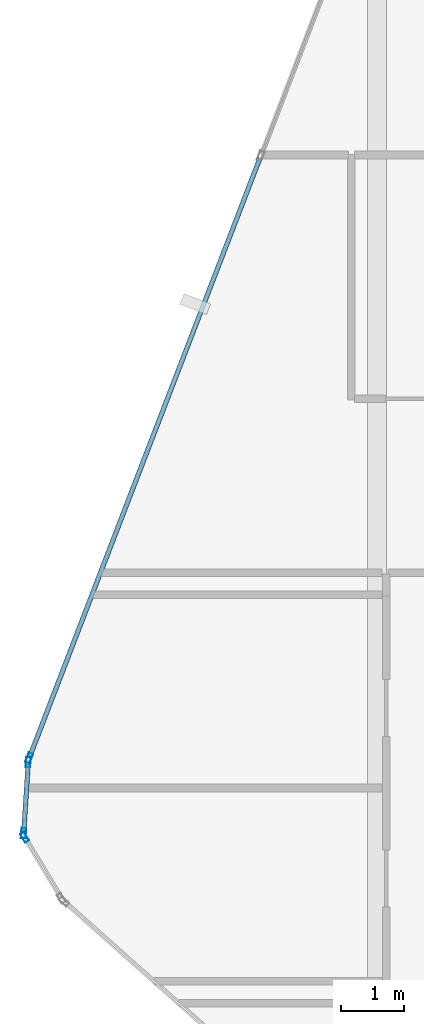
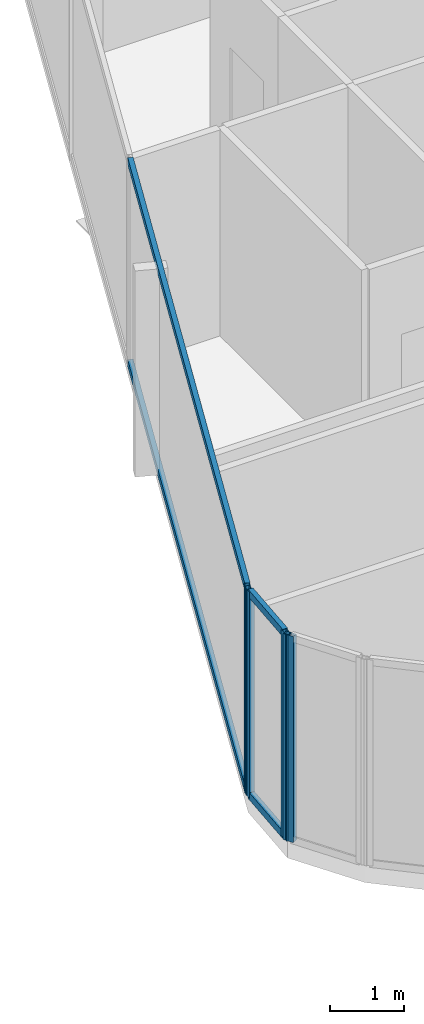
# One storey, part 8 of 28: 8 members, 3 elements without a shape of their own.
"""IFC4 building model written with IfcOpenShell, lengths in metres."""

from ifc_helpers import new_model, si_unit, direction, frame, origin, origin_2d, place, context, subcontext, project, spatial, hollow_rectangle, extrude, material, layer, layer_set, material_profile, profile_set, type_object, element, aggregate, save


model = new_model("IFC4")

# Units and contexts
model_context = context("Model", 3, precision=1e-05, world=origin(), true_north=direction((0.0, 1.0)))
body_context = subcontext(model_context, "Body", "Model", "MODEL_VIEW")
ifc_project = project(units=[si_unit("LENGTHUNIT", "METRE"), si_unit("AREAUNIT", "SQUARE_METRE"), si_unit("VOLUMEUNIT", "CUBIC_METRE"), si_unit("PLANEANGLEUNIT", "RADIAN"), si_unit("MASSUNIT", "GRAM", prefix="KILO")], contexts=[model_context])

# Site, building, storey
site_placement = place(None, origin())
site = spatial("IfcSite", under=ifc_project, at=site_placement, CompositionType="ELEMENT")
building_placement = place(site_placement, origin())
building = spatial("IfcBuilding", under=site, at=building_placement, Name="Keshet Zoharim Tower", CompositionType="ELEMENT")
storey_placement = place(building_placement, frame((0.0, 0.0, 265.800048828125)))
storey = spatial("IfcBuildingStorey", under=building, at=storey_placement, Name="L66", CompositionType="ELEMENT", Elevation=265.800048828125)

# Curtain wall, member
ifc_material = material(Name="Aluminium 6063-T6", Category="aluminium")
ifc_layer = layer(ifc_material, 0.260009765625)
ifc_layer_set = layer_set([ifc_layer], Name="Aluminium 6063-T6")
curtain_wall_type = type_object("IfcCurtainWallType", Name="CW-SYS-06", PredefinedType="NOTDEFINED", material=ifc_layer_set)
curtain_wall_1_placement = place(storey_placement, origin())
curtain_wall_1 = element("IfcCurtainWall", 1, at=curtain_wall_1_placement, inside=storey, type_object=curtain_wall_type, Name="L66 Unitised Curtain Wall 01", PredefinedType="NOTDEFINED")
ifc_material_profile_1 = material_profile(ifc_material, hollow_rectangle(XDim=0.074951171875, YDim=0.159912109375, WallThickness=0.00390625, at=origin_2d()), Name="MUL-75x160")
ifc_profile_set_1 = profile_set([ifc_material_profile_1], Name="Aluminium 6063-T6")
member_type_1 = type_object("IfcMemberType", Name="CWM-M15", PredefinedType="MULLION", material=ifc_profile_set_1)
member_1_placement = place(storey_placement, frame((3.43798828125, 22.77197265625, 0.0), z_axis=(0.0, 0.0, 1.0), x_axis=(-0.856826433805, -0.515604947933, 0.0)))
member_1 = element("IfcMember", 2, at=member_1_placement, type_object=member_type_1, Name="CW-06 mullion 2", PredefinedType="MULLION", context=body_context, shape_type="SweptSolid", body=[
    extrude(hollow_rectangle(XDim=0.074951171875, YDim=0.159912109375, WallThickness=0.00390625, at=origin_2d()), origin(), (0.0, 0.0, 1.0), 3.389892578125),
])
aggregate(curtain_wall_1, [member_1])

# Curtain wall, members
curtain_wall_2_placement = place(storey_placement, origin())
curtain_wall_2 = element("IfcCurtainWall", 3, at=curtain_wall_2_placement, inside=storey, type_object=curtain_wall_type, Name="L66 Unitised Curtain Wall 02", PredefinedType="NOTDEFINED")
member_2_placement = place(storey_placement, frame((3.42236328125, 22.8369140625, 0.0), z_axis=(0.0, 0.0, 1.0), x_axis=(-0.997916617186, 0.064516859374, 0.0)))
member_2 = element("IfcMember", 4, at=member_2_placement, type_object=member_type_1, Name="CW-06 mullion 1", PredefinedType="MULLION", context=body_context, shape_type="SweptSolid", body=[
    extrude(hollow_rectangle(XDim=0.074951171875, YDim=0.159912109375, WallThickness=0.00390625, at=origin_2d()), origin(), (0.0, 0.0, 1.0), 3.389892578125),
])
member_3_placement = place(storey_placement, frame((3.49462890625, 23.9580078125, 0.0), z_axis=(0.0, 0.0, 1.0), x_axis=(-0.997916617186, 0.064516859374, 0.0)))
member_3 = element("IfcMember", 5, at=member_3_placement, type_object=member_type_1, Name="CW-06 mullion 2", PredefinedType="MULLION", context=body_context, shape_type="SweptSolid", body=[
    extrude(hollow_rectangle(XDim=0.074951171875, YDim=0.159912109375, WallThickness=0.00390625, at=origin_2d()), origin(), (0.0, 0.0, 1.0), 3.389892578125),
])

# Curtain wall, member
curtain_wall_3_placement = place(storey_placement, origin())
curtain_wall_3 = element("IfcCurtainWall", 6, at=curtain_wall_3_placement, inside=storey, type_object=curtain_wall_type, Name="L66 Unitised Curtain Wall 03", PredefinedType="NOTDEFINED")
member_4_placement = place(storey_placement, frame((3.509521484375, 24.025634765625, 0.0), z_axis=(0.0, 0.0, 1.0), x_axis=(-0.933341404361, 0.358990003907, 0.0)))
member_4 = element("IfcMember", 7, at=member_4_placement, type_object=member_type_1, Name="CW-06 mullion 1", PredefinedType="MULLION", context=body_context, shape_type="SweptSolid", body=[
    extrude(hollow_rectangle(XDim=0.074951171875, YDim=0.159912109375, WallThickness=0.00390625, at=origin_2d()), origin(), (0.0, 0.0, 1.0), 3.389892578125),
])

# Member
ifc_material_profile_2 = material_profile(ifc_material, hollow_rectangle(XDim=0.074951171875, YDim=0.1201171875, WallThickness=0.00390625, at=origin_2d()), Name="TRN-75x120")
ifc_profile_set_2 = profile_set([ifc_material_profile_2], Name="Aluminium 6063-T6")
member_type_2 = type_object("IfcMemberType", Name="CWT-T12", PredefinedType="USERDEFINED", material=ifc_profile_set_2)
member_5_placement = place(storey_placement, frame((3.424560546875, 22.871826171875, 0.034912109375), z_axis=(0.064426947155, 0.997922426083, 0.0), x_axis=(-0.997922426083, 0.064426947155, 0.0)))
member_5 = element("IfcMember", 8, at=member_5_placement, type_object=member_type_2, Name="CW-06 transom 1.1", ObjectType="TRANSOM", PredefinedType="USERDEFINED", context=body_context, shape_type="SweptSolid", body=[
    extrude(hollow_rectangle(XDim=0.074951171875, YDim=0.1201171875, WallThickness=0.00390625, at=origin_2d()), origin(), (0.0, 0.0, 1.0), 1.053466796875),
])

member_6_placement = place(storey_placement, frame((3.424560546875, 22.871826171875, 3.35498046875), z_axis=(0.064426947155, 0.997922426083, 0.0), x_axis=(-0.997922426083, 0.064426947155, 0.0)))
member_6 = element("IfcMember", 9, at=member_6_placement, type_object=member_type_2, Name="CW-06 transom 1.2", ObjectType="TRANSOM", PredefinedType="USERDEFINED", context=body_context, shape_type="SweptSolid", body=[
    extrude(hollow_rectangle(XDim=0.074951171875, YDim=0.1201171875, WallThickness=0.00390625, at=origin_2d()), origin(), (0.0, 0.0, 1.0), 1.053466796875),
])

aggregate(curtain_wall_2, [member_2, member_3, member_5, member_6])

member_7_placement = place(storey_placement, frame((3.522216796875, 24.058349609375, 0.034912109375), z_axis=(0.358993631387, 0.93334000912, 0.0), x_axis=(-0.93334000912, 0.358993631387, 0.0)))
member_7 = element("IfcMember", 10, at=member_7_placement, type_object=member_type_2, Name="CW-06 transom 1.1", ObjectType="TRANSOM", PredefinedType="USERDEFINED", context=body_context, shape_type="SweptSolid", body=[
    extrude(hollow_rectangle(XDim=0.074951171875, YDim=0.1201171875, WallThickness=0.00390625, at=origin_2d()), origin(), (0.0, 0.0, 1.0), 10.1181640625),
])

member_8_placement = place(storey_placement, frame((3.522216796875, 24.058349609375, 3.35498046875), z_axis=(0.358993631387, 0.93334000912, 0.0), x_axis=(-0.93334000912, 0.358993631387, 0.0)))
member_8 = element("IfcMember", 11, at=member_8_placement, type_object=member_type_2, Name="CW-06 transom 1.2", ObjectType="TRANSOM", PredefinedType="USERDEFINED", context=body_context, shape_type="SweptSolid", body=[
    extrude(hollow_rectangle(XDim=0.074951171875, YDim=0.1201171875, WallThickness=0.00390625, at=origin_2d()), origin(), (0.0, 0.0, 1.0), 10.1181640625),
])

aggregate(curtain_wall_3, [member_4, member_7, member_8])

save(model, "model.ifc")
